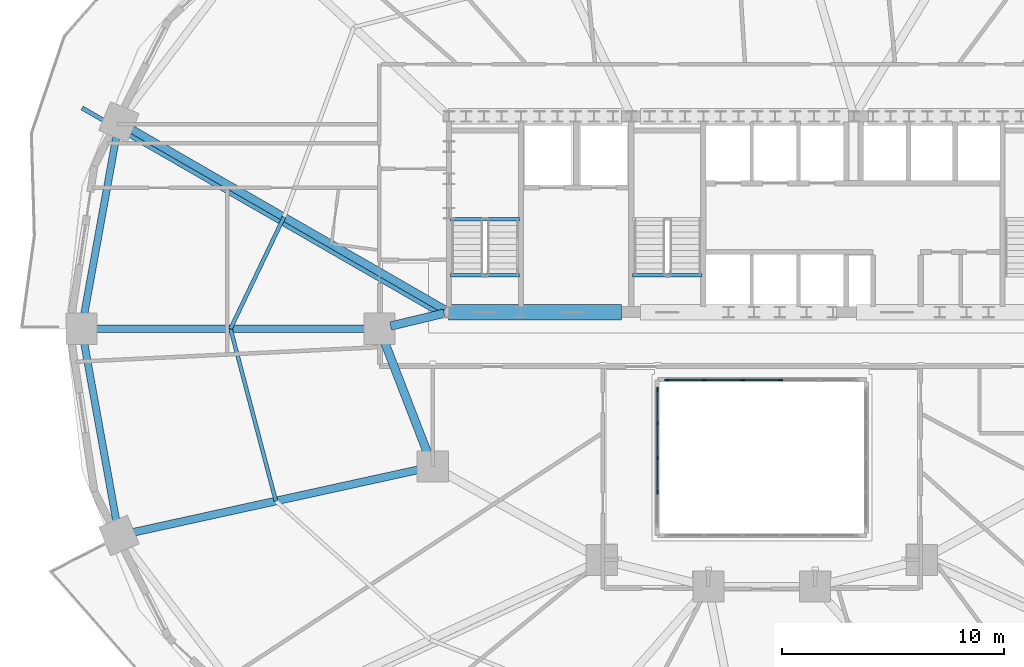
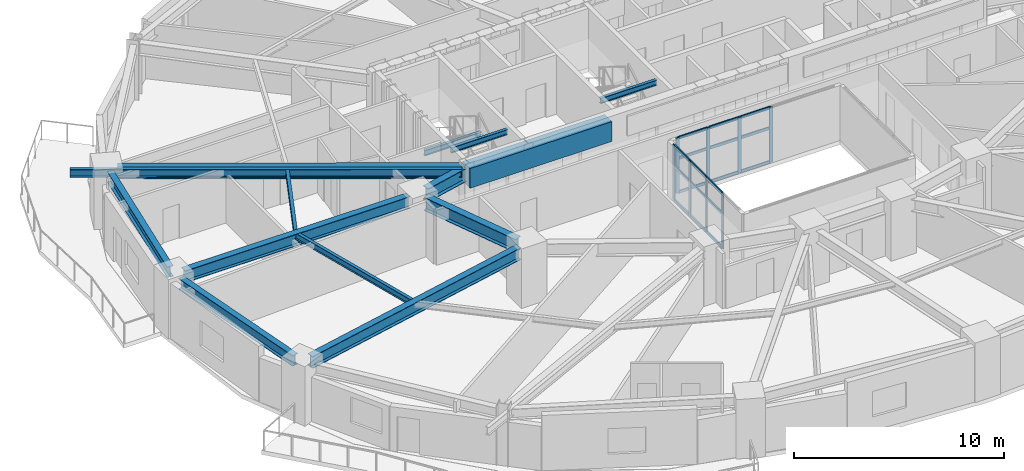
# One storey, part 4 of 17: 26 members, 14 beams, 2 elements without a shape of their own.
"""IFC4 building model written with IfcOpenShell, lengths in metres."""

from ifc_helpers import new_model, si_unit, direction, frame, origin, origin_2d, place, context, subcontext, project, spatial, rectangle, i_section, extrude, material, material_profile, profile_set, type_object, element, aggregate, save


model = new_model("IFC4")

# Units and contexts
model_context = context("Model", 3, precision=1e-05, world=origin(), true_north=direction((0.0, 1.0)))
body_context = subcontext(model_context, "Body", "Model", "MODEL_VIEW")
ifc_project = project(units=[si_unit("LENGTHUNIT", "METRE"), si_unit("AREAUNIT", "SQUARE_METRE"), si_unit("VOLUMEUNIT", "CUBIC_METRE"), si_unit("PLANEANGLEUNIT", "RADIAN"), si_unit("MASSUNIT", "GRAM", prefix="KILO")], contexts=[model_context])

# Site, building, storey
site_placement = place(None, origin())
site = spatial("IfcSite", under=ifc_project, at=site_placement, CompositionType="ELEMENT")
building_placement = place(site_placement, origin())
building = spatial("IfcBuilding", under=site, at=building_placement, Name="Haldorwick Loom Tower", CompositionType="ELEMENT")
storey_placement = place(building_placement, frame((0.0, 0.0, 65.39990234375)))
storey = spatial("IfcBuildingStorey", under=building, at=storey_placement, Name="L17", CompositionType="ELEMENT", Elevation=65.39990234375)

# Curtain wall, members
ifc_material_1 = material(Name="Thermally Broken Anodized Aluminium Curtain Wall Framing", Category="aluminium")
curtain_wall_type = type_object("IfcCurtainWallType", Name="ARC-CW-03", PredefinedType="NOTDEFINED", material=ifc_material_1)
curtain_wall_1_placement = place(storey_placement, origin())
curtain_wall_1 = element("IfcCurtainWall", 1, at=curtain_wall_1_placement, inside=storey, type_object=curtain_wall_type, Name="L17 Atrium Glazed Screen N", PredefinedType="NOTDEFINED")
ifc_material_profile_1 = material_profile(ifc_material_1, rectangle(XDim=0.06591796875, YDim=0.18505859375, at=origin_2d()), Name="ALU_MUL_66X185", Category="aluminium")
ifc_profile_set_1 = profile_set([ifc_material_profile_1], Name="Thermally Broken Anodized Aluminium Curtain Wall Framing")
member_type_1 = type_object("IfcMemberType", Name="ARC-CWM-03", PredefinedType="MULLION", material=ifc_profile_set_1)
member_1_placement = place(storey_placement, frame((31.73291015625, 23.699951171875, 0.0), z_axis=(0.0, 0.0, 1.0), x_axis=(0.0, 1.0, 0.0)))
member_1 = element("IfcMember", 2, at=member_1_placement, type_object=member_type_1, Name="CW-03 mullion 1", PredefinedType="MULLION", context=body_context, shape_type="SweptSolid", body=[
    extrude(rectangle(XDim=0.06591796875, YDim=0.18505859375, at=origin_2d()), origin(), (0.0, 0.0, 1.0), 3.210205078125),
])
member_2_placement = place(storey_placement, frame((33.419921875, 23.699951171875, 0.0), z_axis=(0.0, 0.0, 1.0), x_axis=(0.0, 1.0, 0.0)))
member_2 = element("IfcMember", 3, at=member_2_placement, type_object=member_type_1, Name="CW-03 mullion 2", PredefinedType="MULLION", context=body_context, shape_type="SweptSolid", body=[
    extrude(rectangle(XDim=0.06591796875, YDim=0.18505859375, at=origin_2d()), origin(), (0.0, 0.0, 1.0), 3.210205078125),
])
member_3_placement = place(storey_placement, frame((35.139892578125, 23.699951171875, 0.0), z_axis=(0.0, 0.0, 1.0), x_axis=(0.0, 1.0, 0.0)))
member_3 = element("IfcMember", 4, at=member_3_placement, type_object=member_type_1, Name="CW-03 mullion 3", PredefinedType="MULLION", context=body_context, shape_type="SweptSolid", body=[
    extrude(rectangle(XDim=0.06591796875, YDim=0.18505859375, at=origin_2d()), origin(), (0.0, 0.0, 1.0), 3.210205078125),
])
member_4_placement = place(storey_placement, frame((36.860107421875, 23.699951171875, 0.0), z_axis=(0.0, 0.0, 1.0), x_axis=(0.0, 1.0, 0.0)))
member_4 = element("IfcMember", 5, at=member_4_placement, type_object=member_type_1, Name="CW-03 mullion 4", PredefinedType="MULLION", context=body_context, shape_type="SweptSolid", body=[
    extrude(rectangle(XDim=0.06591796875, YDim=0.18505859375, at=origin_2d()), origin(), (0.0, 0.0, 1.0), 3.210205078125),
])

curtain_wall_2_placement = place(storey_placement, origin())
curtain_wall_2 = element("IfcCurtainWall", 6, at=curtain_wall_2_placement, inside=storey, type_object=curtain_wall_type, Name="L17 Atrium Glazed Screen W", PredefinedType="NOTDEFINED")
member_5_placement = place(storey_placement, frame((31.300048828125, 18.64990234375, 0.0), z_axis=(0.0, 0.0, 1.0), x_axis=(-1.0, 0.0, 0.0)))
member_5 = element("IfcMember", 7, at=member_5_placement, type_object=member_type_1, Name="CW-03 mullion 2", PredefinedType="MULLION", context=body_context, shape_type="SweptSolid", body=[
    extrude(rectangle(XDim=0.06591796875, YDim=0.18505859375, at=origin_2d()), origin(), (0.0, 0.0, 1.0), 3.210205078125),
])
member_6_placement = place(storey_placement, frame((31.300048828125, 20.199951171875, 0.0), z_axis=(0.0, 0.0, 1.0), x_axis=(-1.0, 0.0, 0.0)))
member_6 = element("IfcMember", 8, at=member_6_placement, type_object=member_type_1, Name="CW-03 mullion 3", PredefinedType="MULLION", context=body_context, shape_type="SweptSolid", body=[
    extrude(rectangle(XDim=0.06591796875, YDim=0.18505859375, at=origin_2d()), origin(), (0.0, 0.0, 1.0), 3.210205078125),
])
member_7_placement = place(storey_placement, frame((31.300048828125, 21.75, 0.0), z_axis=(0.0, 0.0, 1.0), x_axis=(-1.0, 0.0, 0.0)))
member_7 = element("IfcMember", 9, at=member_7_placement, type_object=member_type_1, Name="CW-03 mullion 4", PredefinedType="MULLION", context=body_context, shape_type="SweptSolid", body=[
    extrude(rectangle(XDim=0.06591796875, YDim=0.18505859375, at=origin_2d()), origin(), (0.0, 0.0, 1.0), 3.210205078125),
])
member_8_placement = place(storey_placement, frame((31.300048828125, 23.26708984375, 0.0), z_axis=(0.0, 0.0, 1.0), x_axis=(-1.0, 0.0, 0.0)))
member_8 = element("IfcMember", 10, at=member_8_placement, type_object=member_type_1, Name="CW-03 mullion 5", PredefinedType="MULLION", context=body_context, shape_type="SweptSolid", body=[
    extrude(rectangle(XDim=0.06591796875, YDim=0.18505859375, at=origin_2d()), origin(), (0.0, 0.0, 1.0), 3.210205078125),
])

# Member
ifc_material_profile_2 = material_profile(ifc_material_1, rectangle(XDim=0.06591796875, YDim=0.1650390625, at=origin_2d()), Name="ALU_TRN_66X165", Category="aluminium")
ifc_profile_set_2 = profile_set([ifc_material_profile_2], Name="Thermally Broken Anodized Aluminium Curtain Wall Framing")
member_type_2 = type_object("IfcMemberType", Name="ARC-CWT-03", PredefinedType="USERDEFINED", material=ifc_profile_set_2)
member_9_placement = place(storey_placement, frame((31.76611328125, 23.699951171875, 0.033203125), z_axis=(1.0, 0.0, 0.0), x_axis=(0.0, 1.0, 0.0)))
member_9 = element("IfcMember", 11, at=member_9_placement, type_object=member_type_2, Name="CW-03 transom 1.1", ObjectType="TRANSOM", PredefinedType="USERDEFINED", context=body_context, shape_type="SweptSolid", body=[
    extrude(rectangle(XDim=0.06591796875, YDim=0.1650390625, at=origin_2d()), origin(), (0.0, 0.0, 1.0), 1.620849609375),
])

member_10_placement = place(storey_placement, frame((31.76611328125, 23.699951171875, 2.0), z_axis=(1.0, 0.0, 0.0), x_axis=(0.0, 1.0, 0.0)))
member_10 = element("IfcMember", 12, at=member_10_placement, type_object=member_type_2, Name="CW-03 transom 1.2", ObjectType="TRANSOM", PredefinedType="USERDEFINED", context=body_context, shape_type="SweptSolid", body=[
    extrude(rectangle(XDim=0.06591796875, YDim=0.1650390625, at=origin_2d()), origin(), (0.0, 0.0, 1.0), 1.620849609375),
])

member_11_placement = place(storey_placement, frame((31.76611328125, 23.699951171875, 3.177001953125), z_axis=(1.0, 0.0, 0.0), x_axis=(0.0, 1.0, 0.0)))
member_11 = element("IfcMember", 13, at=member_11_placement, type_object=member_type_2, Name="CW-03 transom 1.3", ObjectType="TRANSOM", PredefinedType="USERDEFINED", context=body_context, shape_type="SweptSolid", body=[
    extrude(rectangle(XDim=0.06591796875, YDim=0.1650390625, at=origin_2d()), origin(), (0.0, 0.0, 1.0), 1.620849609375),
])

member_12_placement = place(storey_placement, frame((33.452880859375, 23.699951171875, 0.033203125), z_axis=(1.0, 0.0, 0.0), x_axis=(0.0, 1.0, 0.0)))
member_12 = element("IfcMember", 14, at=member_12_placement, type_object=member_type_2, Name="CW-03 transom 2.1", ObjectType="TRANSOM", PredefinedType="USERDEFINED", context=body_context, shape_type="SweptSolid", body=[
    extrude(rectangle(XDim=0.06591796875, YDim=0.1650390625, at=origin_2d()), origin(), (0.0, 0.0, 1.0), 1.654052734375),
])

member_13_placement = place(storey_placement, frame((33.452880859375, 23.699951171875, 2.0), z_axis=(1.0, 0.0, 0.0), x_axis=(0.0, 1.0, 0.0)))
member_13 = element("IfcMember", 15, at=member_13_placement, type_object=member_type_2, Name="CW-03 transom 2.2", ObjectType="TRANSOM", PredefinedType="USERDEFINED", context=body_context, shape_type="SweptSolid", body=[
    extrude(rectangle(XDim=0.06591796875, YDim=0.1650390625, at=origin_2d()), origin(), (0.0, 0.0, 1.0), 1.654052734375),
])

member_14_placement = place(storey_placement, frame((33.452880859375, 23.699951171875, 3.177001953125), z_axis=(1.0, 0.0, 0.0), x_axis=(0.0, 1.0, 0.0)))
member_14 = element("IfcMember", 16, at=member_14_placement, type_object=member_type_2, Name="CW-03 transom 2.3", ObjectType="TRANSOM", PredefinedType="USERDEFINED", context=body_context, shape_type="SweptSolid", body=[
    extrude(rectangle(XDim=0.06591796875, YDim=0.1650390625, at=origin_2d()), origin(), (0.0, 0.0, 1.0), 1.654052734375),
])

member_15_placement = place(storey_placement, frame((35.173095703125, 23.699951171875, 0.033203125), z_axis=(1.0, 0.0, 0.0), x_axis=(0.0, 1.0, 0.0)))
member_15 = element("IfcMember", 17, at=member_15_placement, type_object=member_type_2, Name="CW-03 transom 3.1", ObjectType="TRANSOM", PredefinedType="USERDEFINED", context=body_context, shape_type="SweptSolid", body=[
    extrude(rectangle(XDim=0.06591796875, YDim=0.1650390625, at=origin_2d()), origin(), (0.0, 0.0, 1.0), 1.65380859375),
])

member_16_placement = place(storey_placement, frame((35.173095703125, 23.699951171875, 2.0), z_axis=(1.0, 0.0, 0.0), x_axis=(0.0, 1.0, 0.0)))
member_16 = element("IfcMember", 18, at=member_16_placement, type_object=member_type_2, Name="CW-03 transom 3.2", ObjectType="TRANSOM", PredefinedType="USERDEFINED", context=body_context, shape_type="SweptSolid", body=[
    extrude(rectangle(XDim=0.06591796875, YDim=0.1650390625, at=origin_2d()), origin(), (0.0, 0.0, 1.0), 1.65380859375),
])

member_17_placement = place(storey_placement, frame((35.173095703125, 23.699951171875, 3.177001953125), z_axis=(1.0, 0.0, 0.0), x_axis=(0.0, 1.0, 0.0)))
member_17 = element("IfcMember", 19, at=member_17_placement, type_object=member_type_2, Name="CW-03 transom 3.3", ObjectType="TRANSOM", PredefinedType="USERDEFINED", context=body_context, shape_type="SweptSolid", body=[
    extrude(rectangle(XDim=0.06591796875, YDim=0.1650390625, at=origin_2d()), origin(), (0.0, 0.0, 1.0), 1.65380859375),
])

aggregate(curtain_wall_1, [member_1, member_2, member_3, member_4, member_9, member_10, member_11, member_12, member_13, member_14, member_15, member_16, member_17])

member_18_placement = place(storey_placement, frame((31.300048828125, 18.68310546875, 0.033203125), z_axis=(0.0, 1.0, 0.0), x_axis=(-1.0, 0.0, 0.0)))
member_18 = element("IfcMember", 20, at=member_18_placement, type_object=member_type_2, Name="CW-03 transom 2.1", ObjectType="TRANSOM", PredefinedType="USERDEFINED", context=body_context, shape_type="SweptSolid", body=[
    extrude(rectangle(XDim=0.06591796875, YDim=0.1650390625, at=origin_2d()), origin(), (0.0, 0.0, 1.0), 1.48388671875),
])

member_19_placement = place(storey_placement, frame((31.300048828125, 18.68310546875, 2.0), z_axis=(0.0, 1.0, 0.0), x_axis=(-1.0, 0.0, 0.0)))
member_19 = element("IfcMember", 21, at=member_19_placement, type_object=member_type_2, Name="CW-03 transom 2.2", ObjectType="TRANSOM", PredefinedType="USERDEFINED", context=body_context, shape_type="SweptSolid", body=[
    extrude(rectangle(XDim=0.06591796875, YDim=0.1650390625, at=origin_2d()), origin(), (0.0, 0.0, 1.0), 1.48388671875),
])

member_20_placement = place(storey_placement, frame((31.300048828125, 18.68310546875, 3.177001953125), z_axis=(0.0, 1.0, 0.0), x_axis=(-1.0, 0.0, 0.0)))
member_20 = element("IfcMember", 22, at=member_20_placement, type_object=member_type_2, Name="CW-03 transom 2.3", ObjectType="TRANSOM", PredefinedType="USERDEFINED", context=body_context, shape_type="SweptSolid", body=[
    extrude(rectangle(XDim=0.06591796875, YDim=0.1650390625, at=origin_2d()), origin(), (0.0, 0.0, 1.0), 1.48388671875),
])

member_21_placement = place(storey_placement, frame((31.300048828125, 20.23291015625, 0.033203125), z_axis=(0.0, 1.0, 0.0), x_axis=(-1.0, 0.0, 0.0)))
member_21 = element("IfcMember", 23, at=member_21_placement, type_object=member_type_2, Name="CW-03 transom 3.1", ObjectType="TRANSOM", PredefinedType="USERDEFINED", context=body_context, shape_type="SweptSolid", body=[
    extrude(rectangle(XDim=0.06591796875, YDim=0.1650390625, at=origin_2d()), origin(), (0.0, 0.0, 1.0), 1.484130859375),
])

member_22_placement = place(storey_placement, frame((31.300048828125, 20.23291015625, 2.0), z_axis=(0.0, 1.0, 0.0), x_axis=(-1.0, 0.0, 0.0)))
member_22 = element("IfcMember", 24, at=member_22_placement, type_object=member_type_2, Name="CW-03 transom 3.2", ObjectType="TRANSOM", PredefinedType="USERDEFINED", context=body_context, shape_type="SweptSolid", body=[
    extrude(rectangle(XDim=0.06591796875, YDim=0.1650390625, at=origin_2d()), origin(), (0.0, 0.0, 1.0), 1.484130859375),
])

member_23_placement = place(storey_placement, frame((31.300048828125, 20.23291015625, 3.177001953125), z_axis=(0.0, 1.0, 0.0), x_axis=(-1.0, 0.0, 0.0)))
member_23 = element("IfcMember", 25, at=member_23_placement, type_object=member_type_2, Name="CW-03 transom 3.3", ObjectType="TRANSOM", PredefinedType="USERDEFINED", context=body_context, shape_type="SweptSolid", body=[
    extrude(rectangle(XDim=0.06591796875, YDim=0.1650390625, at=origin_2d()), origin(), (0.0, 0.0, 1.0), 1.484130859375),
])

member_24_placement = place(storey_placement, frame((31.300048828125, 21.782958984375, 0.033203125), z_axis=(0.0, 1.0, 0.0), x_axis=(-1.0, 0.0, 0.0)))
member_24 = element("IfcMember", 26, at=member_24_placement, type_object=member_type_2, Name="CW-03 transom 4.1", ObjectType="TRANSOM", PredefinedType="USERDEFINED", context=body_context, shape_type="SweptSolid", body=[
    extrude(rectangle(XDim=0.06591796875, YDim=0.1650390625, at=origin_2d()), origin(), (0.0, 0.0, 1.0), 1.450927734375),
])

member_25_placement = place(storey_placement, frame((31.300048828125, 21.782958984375, 2.0), z_axis=(0.0, 1.0, 0.0), x_axis=(-1.0, 0.0, 0.0)))
member_25 = element("IfcMember", 27, at=member_25_placement, type_object=member_type_2, Name="CW-03 transom 4.2", ObjectType="TRANSOM", PredefinedType="USERDEFINED", context=body_context, shape_type="SweptSolid", body=[
    extrude(rectangle(XDim=0.06591796875, YDim=0.1650390625, at=origin_2d()), origin(), (0.0, 0.0, 1.0), 1.450927734375),
])

member_26_placement = place(storey_placement, frame((31.300048828125, 21.782958984375, 3.177001953125), z_axis=(0.0, 1.0, 0.0), x_axis=(-1.0, 0.0, 0.0)))
member_26 = element("IfcMember", 28, at=member_26_placement, type_object=member_type_2, Name="CW-03 transom 4.3", ObjectType="TRANSOM", PredefinedType="USERDEFINED", context=body_context, shape_type="SweptSolid", body=[
    extrude(rectangle(XDim=0.06591796875, YDim=0.1650390625, at=origin_2d()), origin(), (0.0, 0.0, 1.0), 1.450927734375),
])

aggregate(curtain_wall_2, [member_5, member_6, member_7, member_8, member_18, member_19, member_20, member_21, member_22, member_23, member_24, member_25, member_26])

# Beams
ifc_material_2 = material(Name="Steel CSA G40.21 350W", Category="steel")
ifc_material_profile_3 = material_profile(ifc_material_2, i_section(OverallWidth=0.193115234375, OverallDepth=0.466064453125, WebThickness=0.011474609375, FlangeThickness=0.01904296875, at=origin_2d()), Name="W460X97", Category="steel")
ifc_profile_set_3 = profile_set([ifc_material_profile_3], Name="Steel CSA G40.21 350W")
beam_type_1 = type_object("IfcBeamType", Name="STR-BM-BAL460", PredefinedType="BEAM", material=ifc_profile_set_3)
beam_1_placement = place(storey_placement, frame((21.59521484375, 26.61962890625, 2.97705078125), z_axis=(-0.866607024941, 0.49899124674, 0.0), x_axis=(-0.49899124674, -0.866607024941, 0.0)))
element("IfcBeam", 29, at=beam_1_placement, inside=storey, type_object=beam_type_1, Name="L17 Continuous Back-Spanned Balcony Beam 3", PredefinedType="BEAM", context=body_context, shape_type="SweptSolid", body=[
    extrude(i_section(OverallWidth=0.193115234375, OverallDepth=0.466064453125, WebThickness=0.011474609375, FlangeThickness=0.01904296875, at=origin_2d()), origin(), (0.0, 0.0, 1.0), 18.65771484375),
])
ifc_material_3 = material(Name="Concrete C60 (60 MPa)", Category="concrete")
ifc_material_profile_4 = material_profile(ifc_material_3, rectangle(XDim=0.699951171875, YDim=1.14990234375, at=origin_2d()), Name="RC700X1150", Category="concrete")
ifc_profile_set_4 = profile_set([ifc_material_profile_4], Name="Concrete C60 (60 MPa)")
beam_type_2 = type_object("IfcBeamType", Name="STR-BM-CB1150", PredefinedType="LINTEL", material=ifc_profile_set_4)
beam_2_placement = place(storey_placement, frame((21.89990234375, 26.75, 2.635009765625), z_axis=(1.0, 0.0, 0.0), x_axis=(0.0, 1.0, 0.0)))
element("IfcBeam", 30, at=beam_2_placement, inside=storey, type_object=beam_type_2, Name="L17 Core Coupling Beam CB-S1", PredefinedType="LINTEL", context=body_context, shape_type="SweptSolid", body=[
    extrude(rectangle(XDim=0.699951171875, YDim=1.14990234375, at=origin_2d()), origin(), (0.0, 0.0, 1.0), 7.800048828125),
])
ifc_material_profile_5 = material_profile(ifc_material_2, i_section(OverallWidth=0.172119140625, OverallDepth=0.35791015625, WebThickness=0.0078125, FlangeThickness=0.01318359375, at=origin_2d()), Name="W360X57", Category="steel")
ifc_profile_set_5 = profile_set([ifc_material_profile_5], Name="Steel CSA G40.21 350W")
beam_type_3 = type_object("IfcBeamType", Name="STR-BM-J360", PredefinedType="JOIST", material=ifc_profile_set_5)
beam_3_placement = place(storey_placement, frame((14.50634765625, 31.024658203125, 3.031005859375), z_axis=(-0.431630738849, -0.902050389546, 0.0), x_axis=(0.902050389546, -0.431630738849, 0.0)))
element("IfcBeam", 31, at=beam_3_placement, inside=storey, type_object=beam_type_3, Name="L17 Mid-Bay Secondary Joist 8", PredefinedType="JOIST", context=body_context, shape_type="SweptSolid", body=[
    extrude(i_section(OverallWidth=0.172119140625, OverallDepth=0.35791015625, WebThickness=0.0078125, FlangeThickness=0.01318359375, at=origin_2d()), origin(), (0.0, 0.0, 1.0), 5.5703125),
])
beam_4_placement = place(storey_placement, frame((12.10205078125, 26.0, 3.031005859375), z_axis=(0.2544888003, -0.967075721193, 0.0), x_axis=(0.967075721193, 0.2544888003, 0.0)))
element("IfcBeam", 32, at=beam_4_placement, inside=storey, type_object=beam_type_3, Name="L17 Mid-Bay Secondary Joist 9", PredefinedType="JOIST", context=body_context, shape_type="SweptSolid", body=[
    extrude(i_section(OverallWidth=0.172119140625, OverallDepth=0.35791015625, WebThickness=0.0078125, FlangeThickness=0.01318359375, at=origin_2d()), origin(), (0.0, 0.0, 1.0), 8.013427734375),
])
ifc_material_profile_6 = material_profile(ifc_material_2, i_section(OverallWidth=0.324951171875, OverallDepth=0.615966796875, WebThickness=0.013916015625, FlangeThickness=0.021484375, at=origin_2d()), Name="W610X174", Category="steel")
ifc_profile_set_6 = profile_set([ifc_material_profile_6], Name="Steel CSA G40.21 350W")
beam_type_4 = type_object("IfcBeamType", Name="STR-BM-SP610", PredefinedType="SPANDREL", material=ifc_profile_set_6)
for number, where, z_axis, x_axis, name in (
    (33, (6.990234375, 34.78759765625, 2.902099609375), (-0.177641139482, -0.984095333575, 0.0), (0.984095333575, -0.177641139482, 0.0), "L17 Perimeter Spandrel 8"),
    (34, (5.496337890625, 25.48828125, 2.902099609375), (0.177641139482, -0.984095333575, 0.0), (0.984095333575, 0.177641139482, 0.0), "L17 Perimeter Spandrel 9"),
):
    element("IfcBeam", number, at=place(storey_placement, frame(where, z_axis=z_axis, x_axis=x_axis)), inside=storey, type_object=beam_type_4, Name=name, PredefinedType="SPANDREL", context=body_context, shape_type="SweptSolid", body=[
        extrude(i_section(OverallWidth=0.324951171875, OverallDepth=0.615966796875, WebThickness=0.013916015625, FlangeThickness=0.021484375, at=origin_2d()), origin(), (0.0, 0.0, 1.0), 8.40966796875),
    ])
ifc_material_profile_7 = material_profile(ifc_material_2, i_section(OverallWidth=0.166015625, OverallDepth=0.31298828125, WebThickness=0.006591796875, FlangeThickness=0.01123046875, at=origin_2d()), Name="W310X45", Category="steel")
ifc_profile_set_7 = profile_set([ifc_material_profile_7], Name="Steel CSA G40.21 350W")
beam_type_5 = type_object("IfcBeamType", Name="STR-BM-STRM", PredefinedType="BEAM", material=ifc_profile_set_7)
for number, where, z_axis, x_axis, name in (
    (35, (21.989990234375, 28.39990234375, 3.0537109375), (1.0, 0.0, 0.0), (0.0, 1.0, 0.0), "L17 Stair ST-01 Landing Edge Trimmer"),
    (36, (21.989990234375, 30.919921875, 1.36865234375), (1.0, 0.0, 0.0), (0.0, 1.0, 0.0), "L17 Stair ST-01 Half-Landing Trimmer 1"),
    (37, (30.18994140625, 28.39990234375, 3.0537109375), (1.0, 0.0, 0.0), (0.0, 1.0, 0.0), "L17 Stair ST-03 Landing Edge Trimmer"),
):
    element("IfcBeam", number, at=place(storey_placement, frame(where, z_axis=z_axis, x_axis=x_axis)), inside=storey, type_object=beam_type_5, Name=name, PredefinedType="BEAM", context=body_context, shape_type="SweptSolid", body=[
        extrude(i_section(OverallWidth=0.166015625, OverallDepth=0.31298828125, WebThickness=0.006591796875, FlangeThickness=0.01123046875, at=origin_2d()), origin(), (0.0, 0.0, 1.0), 3.1201171875),
    ])
ifc_material_profile_8 = material_profile(ifc_material_2, i_section(OverallWidth=0.35498046875, OverallDepth=0.695068359375, WebThickness=0.015380859375, FlangeThickness=0.02490234375, at=origin_2d()), Name="W690X217", Category="steel")
ifc_profile_set_8 = profile_set([ifc_material_profile_8], Name="Steel CSA G40.21 350W")
beam_type_6 = type_object("IfcBeamType", Name="STR-BM-W690", PredefinedType="BEAM", material=ifc_profile_set_8)
beam_5_placement = place(storey_placement, frame((21.735107421875, 26.8623046875, 2.862548828125), z_axis=(-0.86660566838, 0.498993602696, 0.0), x_axis=(-0.498993602696, -0.86660566838, 0.0)))
element("IfcBeam", 38, at=beam_5_placement, inside=storey, type_object=beam_type_6, Name="L17 Radial Floor Girder 8", PredefinedType="BEAM", context=body_context, shape_type="SweptSolid", body=[
    extrude(i_section(OverallWidth=0.35498046875, OverallDepth=0.695068359375, WebThickness=0.015380859375, FlangeThickness=0.02490234375, at=origin_2d()), origin(), (0.0, 0.0, 1.0), 16.387939453125),
])
beam_6_placement = place(storey_placement, frame((18.280029296875, 26.0, 2.862548828125), z_axis=(-1.0, 0.0, 0.0), x_axis=(0.0, -1.0, 0.0)))
element("IfcBeam", 39, at=beam_6_placement, inside=storey, type_object=beam_type_6, Name="L17 Radial Floor Girder 9", PredefinedType="BEAM", context=body_context, shape_type="SweptSolid", body=[
    extrude(i_section(OverallWidth=0.35498046875, OverallDepth=0.695068359375, WebThickness=0.015380859375, FlangeThickness=0.02490234375, at=origin_2d()), origin(), (0.0, 0.0, 1.0), 12.35595703125),
])
beam_7_placement = place(storey_placement, frame((20.692138671875, 19.6884765625, 2.862548828125), z_axis=(-0.976740159434, -0.214426353203, 0.0), x_axis=(0.214426353203, -0.976740159434, 0.0)))
element("IfcBeam", 40, at=beam_7_placement, inside=storey, type_object=beam_type_6, Name="L17 Radial Floor Girder 10", PredefinedType="BEAM", context=body_context, shape_type="SweptSolid", body=[
    extrude(i_section(OverallWidth=0.35498046875, OverallDepth=0.695068359375, WebThickness=0.015380859375, FlangeThickness=0.02490234375, at=origin_2d()), origin(), (0.0, 0.0, 1.0), 13.41357421875),
])
ifc_material_profile_9 = material_profile(ifc_material_2, i_section(OverallWidth=0.381103515625, OverallDepth=0.77294921875, WebThickness=0.0166015625, FlangeThickness=0.027587890625, at=origin_2d()), Name="W760X257", Category="steel")
ifc_profile_set_9 = profile_set([ifc_material_profile_9], Name="Steel CSA G40.21 350W")
beam_type_7 = type_object("IfcBeamType", Name="STR-BM-W760", PredefinedType="BEAM", material=ifc_profile_set_9)
beam_8_placement = place(storey_placement, frame((21.01220703125, 20.284912109375, 2.823486328125), z_axis=(-0.360964792353, 0.93257944363, 0.0), x_axis=(-0.93257944363, -0.360964792353, 0.0)))
element("IfcBeam", 41, at=beam_8_placement, inside=storey, type_object=beam_type_7, Name="L17 Inner Ring Girder 8", PredefinedType="BEAM", context=body_context, shape_type="SweptSolid", body=[
    extrude(i_section(OverallWidth=0.381103515625, OverallDepth=0.77294921875, WebThickness=0.0166015625, FlangeThickness=0.027587890625, at=origin_2d()), origin(), (0.0, 0.0, 1.0), 5.6083984375),
])
beam_9_placement = place(storey_placement, frame((19.3056640625, 26.12109375, 2.823486328125), z_axis=(0.97247055837, 0.233025777764, 0.0), x_axis=(-0.233025777764, 0.97247055837, 0.0)))
element("IfcBeam", 42, at=beam_9_placement, inside=storey, type_object=beam_type_7, Name="L17 Inner Ring Girder 9", PredefinedType="BEAM", context=body_context, shape_type="SweptSolid", body=[
    extrude(i_section(OverallWidth=0.381103515625, OverallDepth=0.77294921875, WebThickness=0.0166015625, FlangeThickness=0.027587890625, at=origin_2d()), origin(), (0.0, 0.0, 1.0), 2.4736328125),
])

save(model, "model.ifc")
